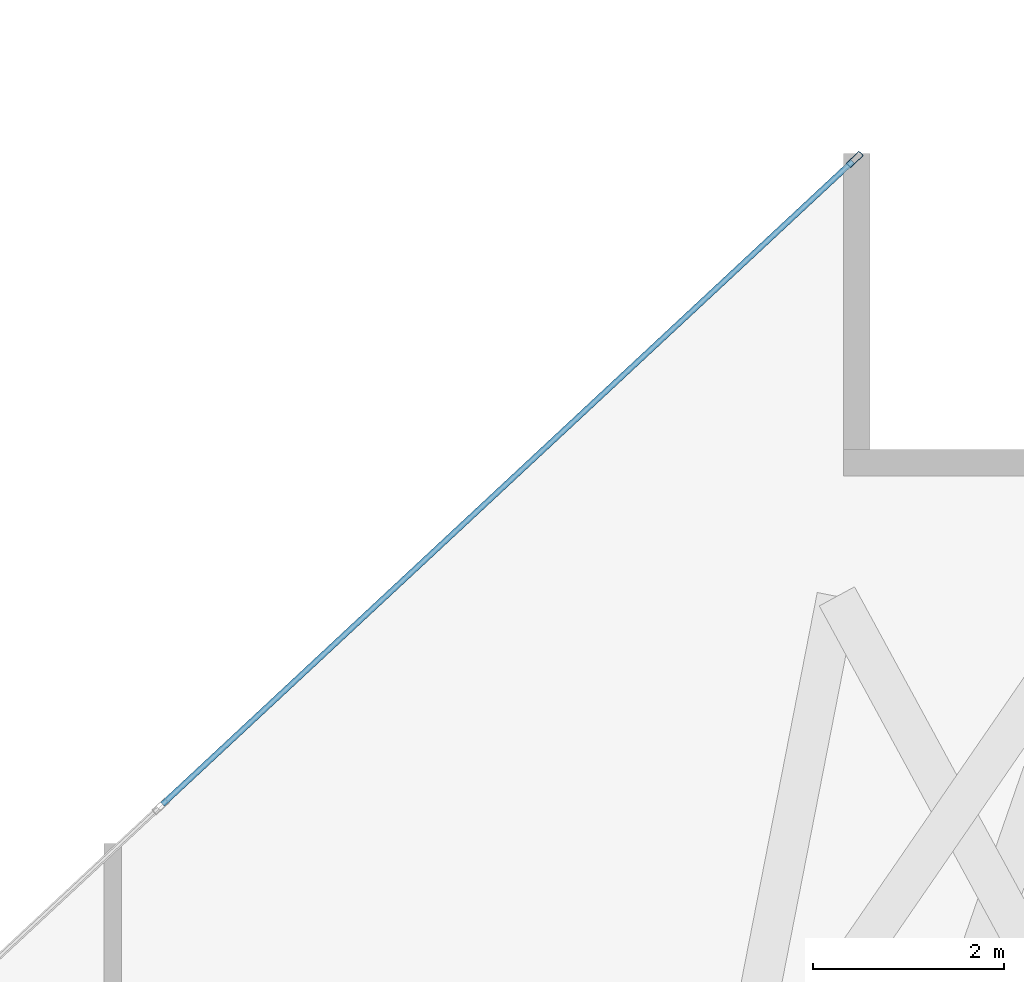
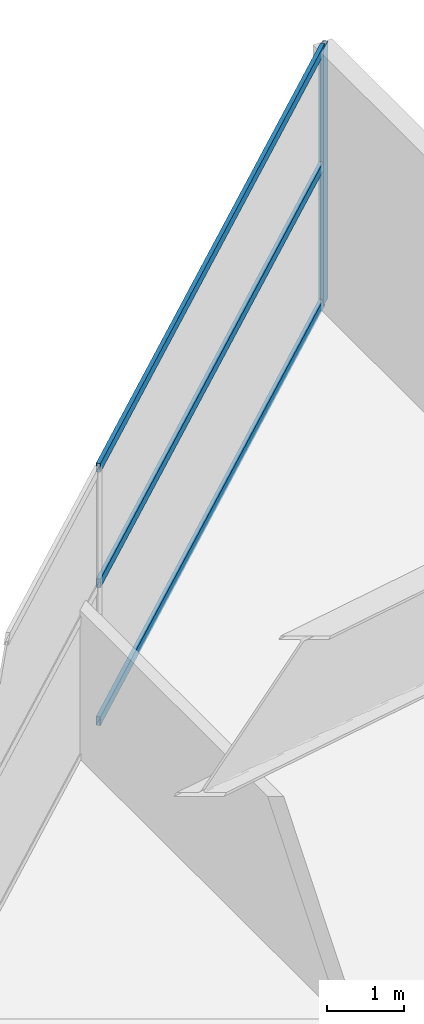
# One storey, part 20 of 27: 4 members, 1 element without a shape of its own.
"""IFC4 building model written with IfcOpenShell, lengths in metres."""

import ifcopenshell
import ifcopenshell.guid

model = None  # the IFC model being written
_history = None  # IfcOwnerHistory: only IFC2X3 demands one
_inside = {}  # id of a spatial element -> (the spatial element, [elements in it])
_under = {}  # id of a project, library or spatial element -> (it, [spatial elements below it])
_declared = {}  # id of a project -> (the project, [libraries it declares])
_typed = {}  # id of a type object -> (the type object, [elements of that type])
_made_of = {}  # id of a material, layer set ... -> (it, [elements and type objects made of it])


def new_model(schema):
    """Start an empty IFC model of exactly this schema.

    Asked for "IFC4X3", IfcOpenShell would pick the latest addendum, in which some entities
    have other attributes; the version numbers below select the first issue.
    IFC2X3 requires an IfcOwnerHistory on every rooted entity: one is made here for all.
    """
    global model, _history
    if schema == "IFC4X3":
        model = ifcopenshell.file(schema_version=(4, 3, 0, 0))
    else:
        model = ifcopenshell.file(schema=schema)
    _inside.clear()
    _under.clear()
    _declared.clear()
    _typed.clear()
    _made_of.clear()
    _history = None
    if model.schema == "IFC2X3":
        org = make("IfcOrganization", Name="unknown")
        user = make(
            "IfcPersonAndOrganization",
            ThePerson=make("IfcPerson", FamilyName="unknown"),
            TheOrganization=org,
        )
        app = make(
            "IfcApplication",
            ApplicationDeveloper=org,
            Version="unknown",
            ApplicationFullName="unknown",
            ApplicationIdentifier="unknown",
        )
        _history = make(
            "IfcOwnerHistory",
            OwningUser=user,
            OwningApplication=app,
            ChangeAction="ADDED",
            CreationDate=0,
        )
    return model


def make(cls, **values):
    """One entity of the class cls with the attributes given. An attribute that is None is left unset."""
    return model.create_entity(
        cls, **{name: value for name, value in values.items() if value is not None}
    )


def rooted(cls, **values):
    """An entity with a GlobalId (a new one), such as an element, a storey or a relation."""
    return make(cls, GlobalId=ifcopenshell.guid.new(), OwnerHistory=_history, **values)


def si_unit(unit_type, name, prefix=None):
    """IfcSIUnit, for example si_unit("LENGTHUNIT", "METRE", prefix="MILLI")."""
    return make("IfcSIUnit", UnitType=unit_type, Prefix=prefix, Name=name)


def assignment(units):
    """IfcUnitAssignment: the units of a project."""
    return None if units is None else make("IfcUnitAssignment", Units=units)


def point(xyz):
    """IfcCartesianPoint."""
    return None if xyz is None else make("IfcCartesianPoint", Coordinates=xyz)


def direction(xyz):
    """IfcDirection."""
    return None if xyz is None else make("IfcDirection", DirectionRatios=xyz)


def frame(location, z_axis=None, x_axis=None):
    """IfcAxis2Placement3D, a coordinate frame: its origin and axes. An axis left out is left unset."""
    return make(
        "IfcAxis2Placement3D",
        Location=point(location),
        Axis=direction(z_axis),
        RefDirection=direction(x_axis),
    )


def frame_2d(location, x_axis=None):
    """IfcAxis2Placement2D, a coordinate frame in the plane: its origin and x axis."""
    return make(
        "IfcAxis2Placement2D", Location=point(location), RefDirection=direction(x_axis)
    )


def origin():
    """The frame at (0, 0, 0) with its axes left unset."""
    return frame((0.0, 0.0, 0.0))


def origin_2d():
    """The frame at (0, 0) in the plane with its x axis left unset."""
    return frame_2d((0.0, 0.0))


def place(relative_to, where):
    """IfcLocalPlacement: puts the frame where relative to a parent placement (None: the world)."""
    return make(
        "IfcLocalPlacement", PlacementRelTo=relative_to, RelativePlacement=where
    )


def context(
    kind, dimensions, precision=None, world=None, true_north=None, identifier=None
):
    """IfcGeometricRepresentationContext, for example the 3D "Model" context."""
    return make(
        "IfcGeometricRepresentationContext",
        ContextIdentifier=identifier,
        ContextType=kind,
        CoordinateSpaceDimension=dimensions,
        Precision=precision,
        WorldCoordinateSystem=world,
        TrueNorth=true_north,
    )


def subcontext(parent, identifier, kind, view, scale=None):
    """IfcGeometricRepresentationSubContext, for example "Body" below "Model"."""
    return make(
        "IfcGeometricRepresentationSubContext",
        ContextIdentifier=identifier,
        ContextType=kind,
        ParentContext=parent,
        TargetScale=scale,
        TargetView=view,
    )


def project(units=None, contexts=None):
    """IfcProject with its units and contexts."""
    return rooted(
        "IfcProject",
        Name="project",
        RepresentationContexts=contexts,
        UnitsInContext=assignment(units),
    )


def spatial(cls, under=None, at=None, **own):
    """A site, building, storey or space (cls), placed at a placement, below another one or the project."""
    s = rooted(cls, ObjectPlacement=at, **own)
    if under is not None:
        _under.setdefault(under.id(), (under, []))[1].append(s)
    return s


def profile(cls, at=None, kind="AREA", **sizes):
    """A parametric profile (cls). Its sizes go by their IFC names, for example OverallWidth=200.0."""
    return make(cls, ProfileType=kind, Position=at, **sizes)


def hollow_rectangle(**sizes):
    """IfcRectangleHollowProfileDef."""
    return profile("IfcRectangleHollowProfileDef", **sizes)


def extrude(swept, where, along, depth):
    """IfcExtrudedAreaSolid: the profile swept, set in the frame where, extruded along a direction by depth."""
    return make(
        "IfcExtrudedAreaSolid",
        SweptArea=swept,
        Position=where,
        ExtrudedDirection=direction(along),
        Depth=depth,
    )


def shape(context_of_items, identifier, shape_type, items):
    """IfcShapeRepresentation: the items that make up one representation, for example the "Body"."""
    return make(
        "IfcShapeRepresentation",
        ContextOfItems=context_of_items,
        RepresentationIdentifier=identifier,
        RepresentationType=shape_type,
        Items=items,
    )


def material(Name=None, Category=None):
    """IfcMaterial."""
    return make("IfcMaterial", Name=Name, Category=Category)


def layer(
    of_material, thickness, ventilated=None, Name=None, Category=None, Priority=None
):
    """IfcMaterialLayer: one layer of a wall or slab, of a material (None: an air gap)."""
    return make(
        "IfcMaterialLayer",
        Material=of_material,
        LayerThickness=thickness,
        IsVentilated=ventilated,
        Name=Name,
        Category=Category,
        Priority=Priority,
    )


def layer_set(layers, Name=None):
    """IfcMaterialLayerSet."""
    return make("IfcMaterialLayerSet", MaterialLayers=layers, LayerSetName=Name)


def material_profile(
    of_material, cross_section, Name=None, Category=None, Priority=None
):
    """IfcMaterialProfile: a cross section and its material."""
    return make(
        "IfcMaterialProfile",
        Name=Name,
        Material=of_material,
        Profile=cross_section,
        Priority=Priority,
        Category=Category,
    )


def profile_set(profiles, Name=None, composite=None):
    """IfcMaterialProfileSet."""
    return make(
        "IfcMaterialProfileSet",
        Name=Name,
        MaterialProfiles=profiles,
        CompositeProfile=composite,
    )


def made_of(thing, what):
    """Note that an element or type object is made of a material, layer set ...; save() writes the relation."""
    if what is not None:
        _made_of.setdefault(what.id(), (what, []))[1].append(thing)
    return thing


def type_object(cls, material=None, **own):
    """A type object (cls), such as IfcWallType, which elements share."""
    return made_of(rooted(cls, **own), material)


def element(
    cls,
    number,
    at=None,
    inside=None,
    cuts=None,
    type_object=None,
    material=None,
    context=None,
    identifier="Body",
    shape_type=None,
    held_by="IfcProductDefinitionShape",
    body=None,
    shapes=None,
    **own,
):
    """One element of the class cls, such as IfcWall. Its Tag is "e" and its number.

    at: its placement. inside: the storey or other place that contains it. cuts: it is an
    opening in that element (IfcRelVoidsElement). A single representation is given by context,
    identifier, shape_type and body (its items); several are given by shapes. held_by: the class
    of the entity that holds the representations. save() writes the other relations.
    """
    e = rooted(cls, Tag="e%d" % number, ObjectPlacement=at, **own)
    if body is not None:
        shapes = [shape(context, identifier, shape_type, body)]
    if shapes is not None:
        e.Representation = make(held_by, Representations=shapes)
    if inside is not None:
        _inside.setdefault(inside.id(), (inside, []))[1].append(e)
    if cuts is not None:
        rooted(
            "IfcRelVoidsElement", RelatingBuildingElement=cuts, RelatedOpeningElement=e
        )
    if type_object is not None:
        _typed.setdefault(type_object.id(), (type_object, []))[1].append(e)
    return made_of(e, material)


def aggregate(whole, parts):
    """IfcRelAggregates: a whole, such as a stair, and the parts it consists of."""
    return rooted("IfcRelAggregates", RelatingObject=whole, RelatedObjects=parts)


def save(model, path):
    """Write the relations noted so far, then the file.

    IfcRelAggregates (storeys below a building ...), IfcRelContainedInSpatialStructure (elements
    in a storey), IfcRelDefinesByType, IfcRelAssociatesMaterial and IfcRelDeclares: one each for
    every whole, place, type object, material and project.
    """
    for whole, parts in _under.values():
        aggregate(whole, parts)
    for where, things in _inside.values():
        rooted(
            "IfcRelContainedInSpatialStructure",
            RelatedElements=things,
            RelatingStructure=where,
        )
    for kind, things in _typed.values():
        rooted("IfcRelDefinesByType", RelatedObjects=things, RelatingType=kind)
    for what, things in _made_of.values():
        rooted("IfcRelAssociatesMaterial", RelatedObjects=things, RelatingMaterial=what)
    for by, libraries in _declared.values():
        rooted("IfcRelDeclares", RelatingContext=by, RelatedDefinitions=libraries)
    model.write(path)


model = new_model("IFC4")

# Units and contexts
model_context = context("Model", 3, precision=1e-05, world=origin(), true_north=direction((0.0, 1.0)))
body_context = subcontext(model_context, "Body", "Model", "MODEL_VIEW")
ifc_project = project(units=[si_unit("LENGTHUNIT", "METRE"), si_unit("AREAUNIT", "SQUARE_METRE"), si_unit("VOLUMEUNIT", "CUBIC_METRE"), si_unit("PLANEANGLEUNIT", "RADIAN"), si_unit("MASSUNIT", "GRAM", prefix="KILO")], contexts=[model_context])

# Site, building, storey
site_placement = place(None, origin())
site = spatial("IfcSite", under=ifc_project, at=site_placement, CompositionType="ELEMENT")
building_placement = place(site_placement, origin())
building = spatial("IfcBuilding", under=site, at=building_placement, Name="Calvorn Quay Hotel", CompositionType="ELEMENT")
storey_placement = place(building_placement, frame((0.0, 0.0, 239.300048828125)))
storey = spatial("IfcBuildingStorey", under=building, at=storey_placement, Name="L59", CompositionType="ELEMENT", Elevation=239.300048828125)

# Curtain wall, members
ifc_material_1 = material(Name="Champagne Bronze Anodised Aluminium and Low-E Glass", Category="aluminium")
ifc_layer = layer(ifc_material_1, 0.219970703125)
ifc_layer_set = layer_set([ifc_layer], Name="CW-SYS-Z3")
curtain_wall_type = type_object("IfcCurtainWallType", Name="CW-SYS-Z3", PredefinedType="NOTDEFINED", material=ifc_layer_set)
curtain_wall_placement = place(storey_placement, origin())
curtain_wall = element("IfcCurtainWall", 1, at=curtain_wall_placement, inside=storey, type_object=curtain_wall_type, Name="Inner Court Curtain Wall L59-NE1", PredefinedType="NOTDEFINED")
ifc_material_2 = material(Name="Champagne Bronze Anodised Aluminium 6063-T6", Category="aluminium")
ifc_material_profile_1 = material_profile(ifc_material_2, hollow_rectangle(XDim=0.068115234375, YDim=0.18505859375, WallThickness=0.00390625, at=origin_2d()), Name="ALU-M185x68x4")
ifc_profile_set_1 = profile_set([ifc_material_profile_1], Name="Champagne Bronze Anodised Aluminium 6063-T6")
member_type_1 = type_object("IfcMemberType", Name="CW-SYS-Z3-MUL", PredefinedType="MULLION", material=ifc_profile_set_1)
member_1_placement = place(storey_placement, frame((36.177978515625, 37.9794921875, 0.0), z_axis=(0.0, 0.0, 1.0), x_axis=(0.681603655102, -0.731721570922, 0.0)))
member_1 = element("IfcMember", 2, at=member_1_placement, type_object=member_type_1, Name="CW-L59-NE1 mullion 1", PredefinedType="MULLION", context=body_context, shape_type="SweptSolid", body=[
    extrude(hollow_rectangle(XDim=0.068115234375, YDim=0.18505859375, WallThickness=0.00390625, at=origin_2d()), origin(), (0.0, 0.0, 1.0), 4.050048828125),
])
ifc_material_3 = material(Name="Champagne Bronze Anodised Aluminium 6063-T6", Category="aluminium")
ifc_material_profile_2 = material_profile(ifc_material_3, hollow_rectangle(XDim=0.05810546875, YDim=0.139892578125, WallThickness=0.003173828125, at=origin_2d()), Name="ALU-T140x58x3.2")
ifc_profile_set_2 = profile_set([ifc_material_profile_2], Name="Champagne Bronze Anodised Aluminium 6063-T6")
member_type_2 = type_object("IfcMemberType", Name="CW-SYS-Z3-TRN", PredefinedType="USERDEFINED", material=ifc_profile_set_2)
member_2_placement = place(storey_placement, frame((36.156005859375, 37.958984375, 0.030029296875), z_axis=(-0.731727475975, -0.681597315798, 0.0), x_axis=(0.681597315798, -0.731727475975, 0.0)))
member_2 = element("IfcMember", 3, at=member_2_placement, type_object=member_type_2, Name="CW-L59-NE1 transom 1.1", ObjectType="TRANSOM", PredefinedType="USERDEFINED", context=body_context, shape_type="SweptSolid", body=[
    extrude(hollow_rectangle(XDim=0.05810546875, YDim=0.139892578125, WallThickness=0.003173828125, at=origin_2d()), origin(), (0.0, 0.0, 1.0), 9.886474609375),
])
member_3_placement = place(storey_placement, frame((36.156005859375, 37.958984375, 2.199951171875), z_axis=(-0.731727475975, -0.681597315798, 0.0), x_axis=(0.681597315798, -0.731727475975, 0.0)))
member_3 = element("IfcMember", 4, at=member_3_placement, type_object=member_type_2, Name="CW-L59-NE1 transom 1.2", ObjectType="TRANSOM", PredefinedType="USERDEFINED", context=body_context, shape_type="SweptSolid", body=[
    extrude(hollow_rectangle(XDim=0.05810546875, YDim=0.139892578125, WallThickness=0.003173828125, at=origin_2d()), origin(), (0.0, 0.0, 1.0), 9.886474609375),
])
member_4_placement = place(storey_placement, frame((36.156005859375, 37.958984375, 4.02001953125), z_axis=(-0.731727475975, -0.681597315798, 0.0), x_axis=(0.681597315798, -0.731727475975, 0.0)))
member_4 = element("IfcMember", 5, at=member_4_placement, type_object=member_type_2, Name="CW-L59-NE1 transom 1.3", ObjectType="TRANSOM", PredefinedType="USERDEFINED", context=body_context, shape_type="SweptSolid", body=[
    extrude(hollow_rectangle(XDim=0.05810546875, YDim=0.139892578125, WallThickness=0.003173828125, at=origin_2d()), origin(), (0.0, 0.0, 1.0), 9.886474609375),
])
aggregate(curtain_wall, [member_1, member_2, member_3, member_4])

save(model, "model.ifc")
